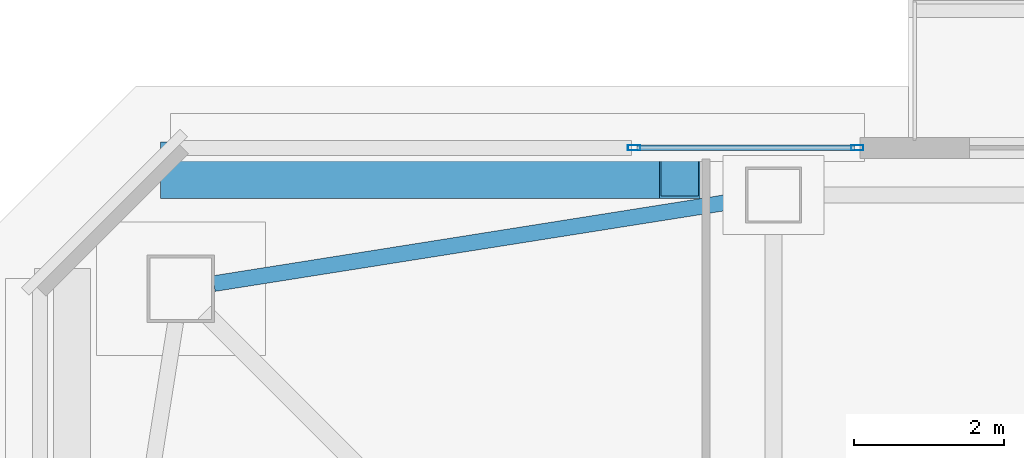
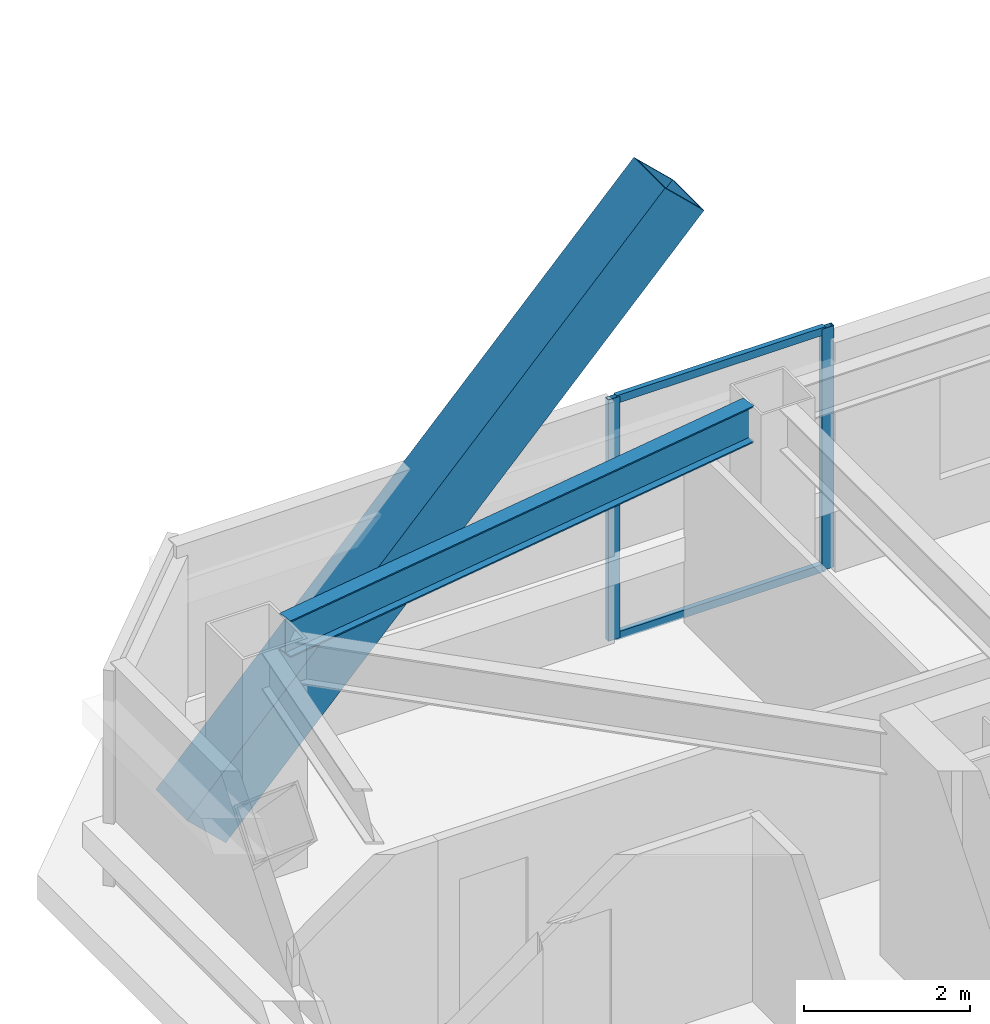
# One storey, part 13 of 37: 5 members, 1 beam, 1 element without a shape of its own.
"""IFC4 building model written with IfcOpenShell, lengths in metres."""

import ifcopenshell
import ifcopenshell.guid

model = None  # the IFC model being written
_history = None  # IfcOwnerHistory: only IFC2X3 demands one
_inside = {}  # id of a spatial element -> (the spatial element, [elements in it])
_under = {}  # id of a project, library or spatial element -> (it, [spatial elements below it])
_declared = {}  # id of a project -> (the project, [libraries it declares])
_typed = {}  # id of a type object -> (the type object, [elements of that type])
_made_of = {}  # id of a material, layer set ... -> (it, [elements and type objects made of it])


def new_model(schema):
    """Start an empty IFC model of exactly this schema.

    Asked for "IFC4X3", IfcOpenShell would pick the latest addendum, in which some entities
    have other attributes; the version numbers below select the first issue.
    IFC2X3 requires an IfcOwnerHistory on every rooted entity: one is made here for all.
    """
    global model, _history
    if schema == "IFC4X3":
        model = ifcopenshell.file(schema_version=(4, 3, 0, 0))
    else:
        model = ifcopenshell.file(schema=schema)
    _inside.clear()
    _under.clear()
    _declared.clear()
    _typed.clear()
    _made_of.clear()
    _history = None
    if model.schema == "IFC2X3":
        org = make("IfcOrganization", Name="unknown")
        user = make(
            "IfcPersonAndOrganization",
            ThePerson=make("IfcPerson", FamilyName="unknown"),
            TheOrganization=org,
        )
        app = make(
            "IfcApplication",
            ApplicationDeveloper=org,
            Version="unknown",
            ApplicationFullName="unknown",
            ApplicationIdentifier="unknown",
        )
        _history = make(
            "IfcOwnerHistory",
            OwningUser=user,
            OwningApplication=app,
            ChangeAction="ADDED",
            CreationDate=0,
        )
    return model


def make(cls, **values):
    """One entity of the class cls with the attributes given. An attribute that is None is left unset."""
    return model.create_entity(
        cls, **{name: value for name, value in values.items() if value is not None}
    )


def rooted(cls, **values):
    """An entity with a GlobalId (a new one), such as an element, a storey or a relation."""
    return make(cls, GlobalId=ifcopenshell.guid.new(), OwnerHistory=_history, **values)


def si_unit(unit_type, name, prefix=None):
    """IfcSIUnit, for example si_unit("LENGTHUNIT", "METRE", prefix="MILLI")."""
    return make("IfcSIUnit", UnitType=unit_type, Prefix=prefix, Name=name)


def assignment(units):
    """IfcUnitAssignment: the units of a project."""
    return None if units is None else make("IfcUnitAssignment", Units=units)


def point(xyz):
    """IfcCartesianPoint."""
    return None if xyz is None else make("IfcCartesianPoint", Coordinates=xyz)


def direction(xyz):
    """IfcDirection."""
    return None if xyz is None else make("IfcDirection", DirectionRatios=xyz)


def frame(location, z_axis=None, x_axis=None):
    """IfcAxis2Placement3D, a coordinate frame: its origin and axes. An axis left out is left unset."""
    return make(
        "IfcAxis2Placement3D",
        Location=point(location),
        Axis=direction(z_axis),
        RefDirection=direction(x_axis),
    )


def frame_2d(location, x_axis=None):
    """IfcAxis2Placement2D, a coordinate frame in the plane: its origin and x axis."""
    return make(
        "IfcAxis2Placement2D", Location=point(location), RefDirection=direction(x_axis)
    )


def origin():
    """The frame at (0, 0, 0) with its axes left unset."""
    return frame((0.0, 0.0, 0.0))


def origin_2d():
    """The frame at (0, 0) in the plane with its x axis left unset."""
    return frame_2d((0.0, 0.0))


def place(relative_to, where):
    """IfcLocalPlacement: puts the frame where relative to a parent placement (None: the world)."""
    return make(
        "IfcLocalPlacement", PlacementRelTo=relative_to, RelativePlacement=where
    )


def context(
    kind, dimensions, precision=None, world=None, true_north=None, identifier=None
):
    """IfcGeometricRepresentationContext, for example the 3D "Model" context."""
    return make(
        "IfcGeometricRepresentationContext",
        ContextIdentifier=identifier,
        ContextType=kind,
        CoordinateSpaceDimension=dimensions,
        Precision=precision,
        WorldCoordinateSystem=world,
        TrueNorth=true_north,
    )


def subcontext(parent, identifier, kind, view, scale=None):
    """IfcGeometricRepresentationSubContext, for example "Body" below "Model"."""
    return make(
        "IfcGeometricRepresentationSubContext",
        ContextIdentifier=identifier,
        ContextType=kind,
        ParentContext=parent,
        TargetScale=scale,
        TargetView=view,
    )


def project(units=None, contexts=None):
    """IfcProject with its units and contexts."""
    return rooted(
        "IfcProject",
        Name="project",
        RepresentationContexts=contexts,
        UnitsInContext=assignment(units),
    )


def spatial(cls, under=None, at=None, **own):
    """A site, building, storey or space (cls), placed at a placement, below another one or the project."""
    s = rooted(cls, ObjectPlacement=at, **own)
    if under is not None:
        _under.setdefault(under.id(), (under, []))[1].append(s)
    return s


def profile(cls, at=None, kind="AREA", **sizes):
    """A parametric profile (cls). Its sizes go by their IFC names, for example OverallWidth=200.0."""
    return make(cls, ProfileType=kind, Position=at, **sizes)


def hollow_rectangle(**sizes):
    """IfcRectangleHollowProfileDef."""
    return profile("IfcRectangleHollowProfileDef", **sizes)


def i_section(**sizes):
    """IfcIShapeProfileDef."""
    return profile("IfcIShapeProfileDef", **sizes)


def extrude(swept, where, along, depth):
    """IfcExtrudedAreaSolid: the profile swept, set in the frame where, extruded along a direction by depth."""
    return make(
        "IfcExtrudedAreaSolid",
        SweptArea=swept,
        Position=where,
        ExtrudedDirection=direction(along),
        Depth=depth,
    )


def shape(context_of_items, identifier, shape_type, items):
    """IfcShapeRepresentation: the items that make up one representation, for example the "Body"."""
    return make(
        "IfcShapeRepresentation",
        ContextOfItems=context_of_items,
        RepresentationIdentifier=identifier,
        RepresentationType=shape_type,
        Items=items,
    )


def material(Name=None, Category=None):
    """IfcMaterial."""
    return make("IfcMaterial", Name=Name, Category=Category)


def material_profile(
    of_material, cross_section, Name=None, Category=None, Priority=None
):
    """IfcMaterialProfile: a cross section and its material."""
    return make(
        "IfcMaterialProfile",
        Name=Name,
        Material=of_material,
        Profile=cross_section,
        Priority=Priority,
        Category=Category,
    )


def profile_set(profiles, Name=None, composite=None):
    """IfcMaterialProfileSet."""
    return make(
        "IfcMaterialProfileSet",
        Name=Name,
        MaterialProfiles=profiles,
        CompositeProfile=composite,
    )


def made_of(thing, what):
    """Note that an element or type object is made of a material, layer set ...; save() writes the relation."""
    if what is not None:
        _made_of.setdefault(what.id(), (what, []))[1].append(thing)
    return thing


def type_object(cls, material=None, **own):
    """A type object (cls), such as IfcWallType, which elements share."""
    return made_of(rooted(cls, **own), material)


def element(
    cls,
    number,
    at=None,
    inside=None,
    cuts=None,
    type_object=None,
    material=None,
    context=None,
    identifier="Body",
    shape_type=None,
    held_by="IfcProductDefinitionShape",
    body=None,
    shapes=None,
    **own,
):
    """One element of the class cls, such as IfcWall. Its Tag is "e" and its number.

    at: its placement. inside: the storey or other place that contains it. cuts: it is an
    opening in that element (IfcRelVoidsElement). A single representation is given by context,
    identifier, shape_type and body (its items); several are given by shapes. held_by: the class
    of the entity that holds the representations. save() writes the other relations.
    """
    e = rooted(cls, Tag="e%d" % number, ObjectPlacement=at, **own)
    if body is not None:
        shapes = [shape(context, identifier, shape_type, body)]
    if shapes is not None:
        e.Representation = make(held_by, Representations=shapes)
    if inside is not None:
        _inside.setdefault(inside.id(), (inside, []))[1].append(e)
    if cuts is not None:
        rooted(
            "IfcRelVoidsElement", RelatingBuildingElement=cuts, RelatedOpeningElement=e
        )
    if type_object is not None:
        _typed.setdefault(type_object.id(), (type_object, []))[1].append(e)
    return made_of(e, material)


def aggregate(whole, parts):
    """IfcRelAggregates: a whole, such as a stair, and the parts it consists of."""
    return rooted("IfcRelAggregates", RelatingObject=whole, RelatedObjects=parts)


def save(model, path):
    """Write the relations noted so far, then the file.

    IfcRelAggregates (storeys below a building ...), IfcRelContainedInSpatialStructure (elements
    in a storey), IfcRelDefinesByType, IfcRelAssociatesMaterial and IfcRelDeclares: one each for
    every whole, place, type object, material and project.
    """
    for whole, parts in _under.values():
        aggregate(whole, parts)
    for where, things in _inside.values():
        rooted(
            "IfcRelContainedInSpatialStructure",
            RelatedElements=things,
            RelatingStructure=where,
        )
    for kind, things in _typed.values():
        rooted("IfcRelDefinesByType", RelatedObjects=things, RelatingType=kind)
    for what, things in _made_of.values():
        rooted("IfcRelAssociatesMaterial", RelatedObjects=things, RelatingMaterial=what)
    for by, libraries in _declared.values():
        rooted("IfcRelDeclares", RelatingContext=by, RelatedDefinitions=libraries)
    model.write(path)


model = new_model("IFC4")

# Units and contexts
model_context = context("Model", 3, precision=1e-05, world=origin(), true_north=direction((0.0, 1.0)))
body_context = subcontext(model_context, "Body", "Model", "MODEL_VIEW")
ifc_project = project(units=[si_unit("LENGTHUNIT", "METRE"), si_unit("AREAUNIT", "SQUARE_METRE"), si_unit("VOLUMEUNIT", "CUBIC_METRE"), si_unit("PLANEANGLEUNIT", "RADIAN"), si_unit("MASSUNIT", "GRAM", prefix="KILO")], contexts=[model_context])

# Site, building, storey
site_placement = place(None, origin())
site = spatial("IfcSite", under=ifc_project, at=site_placement, CompositionType="ELEMENT")
building_placement = place(site_placement, origin())
building = spatial("IfcBuilding", under=site, at=building_placement, Name="Tashvorn Skyway Center", CompositionType="ELEMENT")
storey_placement = place(building_placement, frame((0.0, 0.0, 263.39990234375)))
storey = spatial("IfcBuildingStorey", under=building, at=storey_placement, Name="L71", CompositionType="ELEMENT", Elevation=263.39990234375)

# Beam
ifc_material_1 = material(Name="Steel ASTM A992 Grade 50", Category="steel")
ifc_material_profile_1 = material_profile(ifc_material_1, i_section(OverallWidth=0.2109375, OverallDepth=0.5390625, WebThickness=0.01171875, FlangeThickness=0.018798828125, at=origin_2d()), Name="W21X73")
ifc_profile_set_1 = profile_set([ifc_material_profile_1], Name="Steel ASTM A992 Grade 50")
beam_type = type_object("IfcBeamType", Name="BM-SPANDREL-W21X73", PredefinedType="SPANDREL", material=ifc_profile_set_1)
beam_placement = place(storey_placement, frame((36.234619140625, 46.4921875, 3.1005859375), z_axis=(-0.987713587978, -0.156274976, 0.0), x_axis=(0.156274976, -0.987713587978, 0.0)))
element("IfcBeam", 1, at=beam_placement, inside=storey, type_object=beam_type, Name="Tower 1 L71 Spandrel Beam 09", PredefinedType="SPANDREL", context=body_context, shape_type="SweptSolid", body=[
    extrude(i_section(OverallWidth=0.2109375, OverallDepth=0.5390625, WebThickness=0.01171875, FlangeThickness=0.018798828125, at=origin_2d()), origin(), (0.0, 0.0, 1.0), 7.18310546875),
])

# Curtain wall, members
ifc_material_2 = material(Name="Thermally broken bronze-anodized aluminium 6063-T6", Category="aluminium")
curtain_wall_type = type_object("IfcCurtainWallType", Name="CW-CW-Z5", PredefinedType="NOTDEFINED", material=ifc_material_2)
curtain_wall_placement = place(storey_placement, origin())
curtain_wall = element("IfcCurtainWall", 2, at=curtain_wall_placement, inside=storey, type_object=curtain_wall_type, Name="Tower 1 L71 North Curtain Wall L Glazing Group 1", PredefinedType="NOTDEFINED")
ifc_material_profile_2 = material_profile(ifc_material_2, hollow_rectangle(XDim=0.070068359375, YDim=0.1650390625, WallThickness=0.00390625, at=origin_2d()), Name="ALU-MULL-70x165")
ifc_profile_set_2 = profile_set([ifc_material_profile_2], Name="Thermally broken bronze-anodized aluminium 6063-T6")
member_type_1 = type_object("IfcMemberType", Name="CWM-CW-Z5", PredefinedType="MULLION", material=ifc_profile_set_2)
member_1_placement = place(storey_placement, frame((34.74169921875, 47.179931640625, 0.0), z_axis=(0.0, 0.0, 1.0), x_axis=(0.0, 1.0, 0.0)))
member_1 = element("IfcMember", 3, at=member_1_placement, type_object=member_type_1, Name="CW-Z5 mullion 1", PredefinedType="MULLION", context=body_context, shape_type="SweptSolid", body=[
    extrude(hollow_rectangle(XDim=0.070068359375, YDim=0.1650390625, WallThickness=0.00390625, at=origin_2d()), origin(), (0.0, 0.0, 1.0), 3.550048828125),
])
member_2_placement = place(storey_placement, frame((37.715087890625, 47.179931640625, 0.0), z_axis=(0.0, 0.0, 1.0), x_axis=(0.0, 1.0, 0.0)))
member_2 = element("IfcMember", 4, at=member_2_placement, type_object=member_type_1, Name="CW-Z5 mullion 2", PredefinedType="MULLION", context=body_context, shape_type="SweptSolid", body=[
    extrude(hollow_rectangle(XDim=0.070068359375, YDim=0.1650390625, WallThickness=0.00390625, at=origin_2d()), origin(), (0.0, 0.0, 1.0), 3.550048828125),
])
ifc_material_profile_3 = material_profile(ifc_material_2, hollow_rectangle(XDim=0.070068359375, YDim=0.114990234375, WallThickness=0.00390625, at=origin_2d()), Name="ALU-TRAN-70x115")
ifc_profile_set_3 = profile_set([ifc_material_profile_3], Name="Thermally broken bronze-anodized aluminium 6063-T6")
member_type_2 = type_object("IfcMemberType", Name="CWT-CW-Z5", PredefinedType="USERDEFINED", material=ifc_profile_set_3)
member_3_placement = place(storey_placement, frame((34.776611328125, 47.179931640625, 0.03515625), z_axis=(1.0, 0.0, 0.0), x_axis=(0.0, 1.0, 0.0)))
member_3 = element("IfcMember", 5, at=member_3_placement, type_object=member_type_2, Name="CW-Z5 transom 1.1", ObjectType="TRANSOM", PredefinedType="USERDEFINED", context=body_context, shape_type="SweptSolid", body=[
    extrude(hollow_rectangle(XDim=0.070068359375, YDim=0.114990234375, WallThickness=0.00390625, at=origin_2d()), origin(), (0.0, 0.0, 1.0), 2.9033203125),
])
member_4_placement = place(storey_placement, frame((34.776611328125, 47.179931640625, 3.51513671875), z_axis=(1.0, 0.0, 0.0), x_axis=(0.0, 1.0, 0.0)))
member_4 = element("IfcMember", 6, at=member_4_placement, type_object=member_type_2, Name="CW-Z5 transom 1.2", ObjectType="TRANSOM", PredefinedType="USERDEFINED", context=body_context, shape_type="SweptSolid", body=[
    extrude(hollow_rectangle(XDim=0.070068359375, YDim=0.114990234375, WallThickness=0.00390625, at=origin_2d()), origin(), (0.0, 0.0, 1.0), 2.9033203125),
])
aggregate(curtain_wall, [member_1, member_2, member_3, member_4])

# Member
ifc_material_3 = material(Name="Steel ASTM A572 Grade 50", Category="steel")
ifc_material_profile_4 = material_profile(ifc_material_3, hollow_rectangle(XDim=0.75, YDim=0.75, WallThickness=0.031982421875, at=origin_2d()), Name="BOX750x750x32")
ifc_profile_set_4 = profile_set([ifc_material_profile_4], Name="Steel ASTM A572 Grade 50")
member_type_3 = type_object("IfcMemberType", Name="MEM-MB-750", PredefinedType="BRACE", material=ifc_profile_set_4)
member_5_placement = place(storey_placement, frame((28.699951171875, 46.8798828125, -0.31982421875), z_axis=(0.690312384492, 0.0, 0.723511445533), x_axis=(0.0, 1.0, 0.0)))
element("IfcMember", 7, at=member_5_placement, inside=storey, type_object=member_type_3, Name="Tower 1 Zone 7 N Chevron Mega-Brace R1", PredefinedType="BRACE", context=body_context, shape_type="SweptSolid", body=[
    extrude(hollow_rectangle(XDim=0.75, YDim=0.75, WallThickness=0.031982421875, at=origin_2d()), origin(), (0.0, 0.0, 1.0), 9.633544921875),
])

save(model, "model.ifc")
